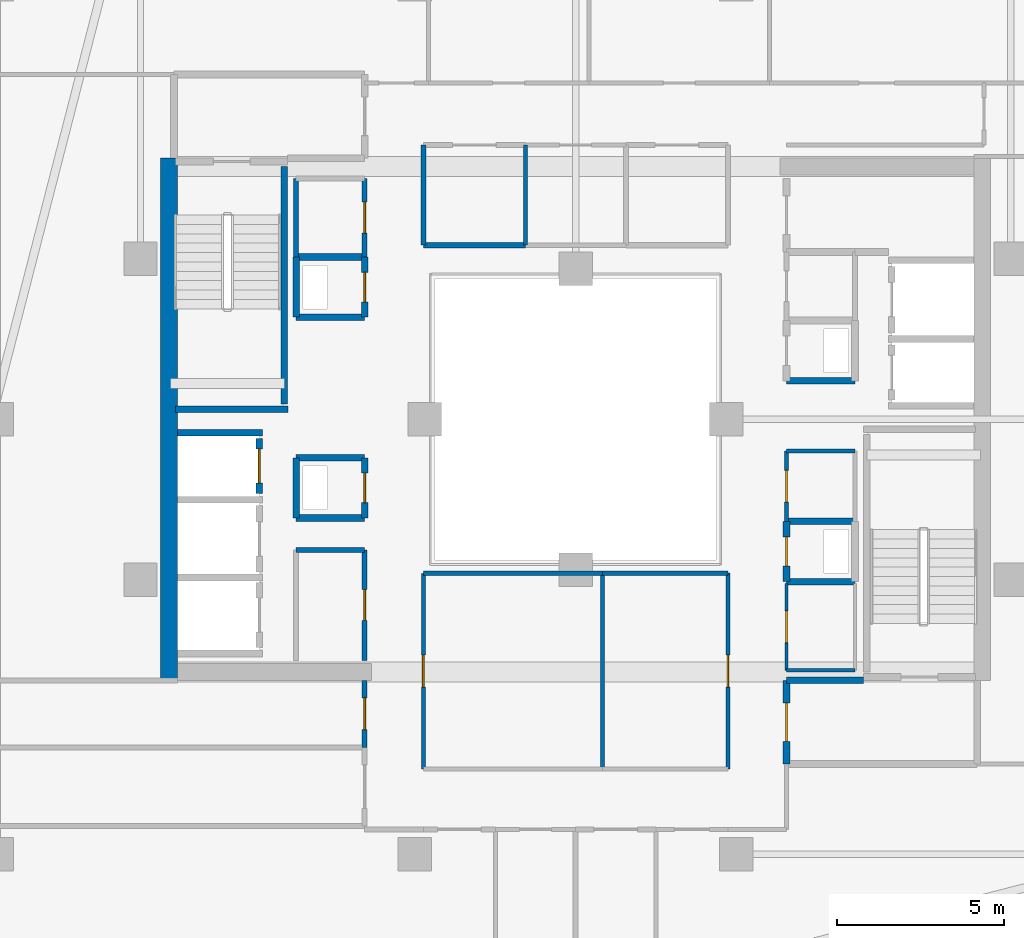
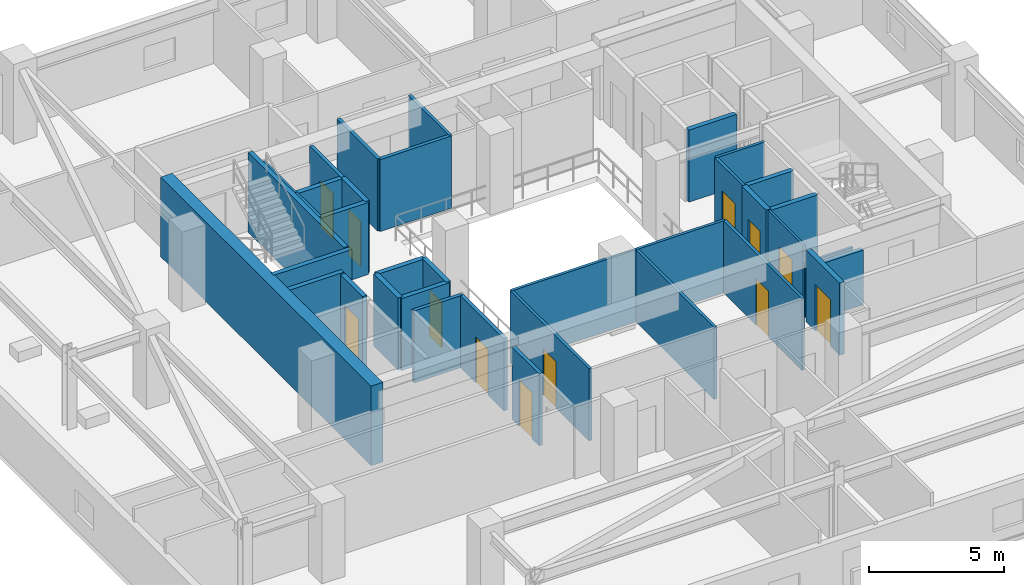
# One storey, part 24 of 33: 36 walls, 12 doors, 12 openings.
"""IFC4 building model written with IfcOpenShell, lengths in metres."""

from ifc_helpers import new_model, si_unit, direction, frame, frame_2d, origin, place, context, subcontext, project, spatial, rectangle, extrude, material, layer, layer_set, type_object, element, fill, save


model = new_model("IFC4")

# Units and contexts
model_context = context("Model", 3, precision=1e-05, world=origin(), true_north=direction((0.0, 1.0)))
body_context = subcontext(model_context, "Body", "Model", "MODEL_VIEW")
ifc_project = project(units=[si_unit("LENGTHUNIT", "METRE"), si_unit("AREAUNIT", "SQUARE_METRE"), si_unit("VOLUMEUNIT", "CUBIC_METRE"), si_unit("PLANEANGLEUNIT", "RADIAN"), si_unit("MASSUNIT", "GRAM", prefix="KILO")], contexts=[model_context])

# Site, building, storey
site_placement = place(None, origin())
site = spatial("IfcSite", under=ifc_project, at=site_placement, CompositionType="ELEMENT")
building_placement = place(site_placement, origin())
building = spatial("IfcBuilding", under=site, at=building_placement, Name="Thornwick Lancets Civic Towers", CompositionType="ELEMENT")
storey_placement = place(building_placement, frame((0.0, 0.0, 218.10009765625)))
storey = spatial("IfcBuildingStorey", under=building, at=storey_placement, Name="L58", CompositionType="ELEMENT", Elevation=218.10009765625)

# Wall, opening, door
ifc_material_1 = material(Name="Concrete blockwork C40/50", Category="masonry")
ifc_layer_1 = layer(ifc_material_1, 0.199951171875, Name="Concrete blockwork C40/50")
ifc_layer_set_1 = layer_set([ifc_layer_1], Name="Concrete blockwork C40/50")
wall_type_1 = type_object("IfcWallType", Name="WALL_COMP_200", PredefinedType="STANDARD", material=ifc_layer_set_1)
wall_1_placement = place(storey_placement, frame((79.050048828125, 24.780029296875, 0.0), z_axis=(0.0, 0.0, 1.0), x_axis=(0.0, 1.0, 0.0)))
wall_1 = element("IfcWall", 1, at=wall_1_placement, inside=storey, type_object=wall_type_1, Name="L58 Hoistway Front Wall FL-B2", PredefinedType="STANDARD", context=body_context, shape_type="SweptSolid", body=[
    extrude(rectangle(XDim=1.639892578125, YDim=0.199951171875, at=frame_2d((0.81982421875, 0.0))), origin(), (0.0, 0.0, 1.0), 3.260009765625),
])
opening_1_placement = place(wall_1_placement, frame((0.31005859375, 0.0, 0.0)))
opening_1 = element("IfcOpeningElement", 2, at=opening_1_placement, cuts=wall_1, Name="Opening LD-FL-B2", PredefinedType="OPENING", context=body_context, shape_type="SweptSolid", body=[
    extrude(rectangle(XDim=1.02001953125, YDim=2.06005859375, at=frame_2d((0.510009765625, 1.030029296875))), frame((0.0, 0.10986328125, 0.0), z_axis=(0.0, -1.0, 0.0), x_axis=(1.0, 0.0, 0.0)), (0.0, 0.0, 1.0), 0.219970703125),
])
ifc_material_2 = material(Name="Brushed bronze stainless steel", Category="steel")
door_type_1 = type_object("IfcDoorType", Name="DOOR_LIFT_SLIDE", OperationType="SLIDING_TO_LEFT", PredefinedType="DOOR", material=ifc_material_2)
door_1_placement = place(opening_1_placement, origin())
door_1 = element("IfcDoor", 3, at=door_1_placement, inside=storey, type_object=door_type_1, Name="L58 Sliding Lift Landing Door LD-FL-B2", OperationType="SLIDING_TO_LEFT", OverallHeight=2.06005859375, OverallWidth=1.02001953125, PredefinedType="DOOR", context=body_context, shape_type="SweptSolid", body=[
    extrude(rectangle(XDim=1.02001953125, YDim=2.06005859375, at=frame_2d((0.510009765625, 1.030029296875))), frame((0.0, 0.02490234375, 0.0), z_axis=(0.0, -1.0, 0.0), x_axis=(1.0, 0.0, 0.0)), (0.0, 0.0, 1.0), 0.050048828125),
])
fill(opening_1, door_1)

# Walls
wall_2_placement = place(storey_placement, frame((76.612060546875, 26.60009765625, 0.0), z_axis=(0.0, 0.0, 1.0), x_axis=(1.0, 0.0, 0.0)))
element("IfcWall", 4, at=wall_2_placement, inside=storey, type_object=wall_type_1, Name="L58 Hoistway Shaft Wall FL-B2 N", PredefinedType="STANDARD", context=body_context, shape_type="SweptSolid", body=[
    extrude(rectangle(XDim=2.535888671875, YDim=0.199951171875, at=frame_2d((1.26806640625, 0.0))), origin(), (0.0, 0.0, 1.0), 3.260009765625),
])
wall_3_placement = place(storey_placement, frame((97.10009765625, 19.199951171875, 0.0), z_axis=(0.0, 0.0, 1.0), x_axis=(-1.0, 0.0, 0.0)))
element("IfcWall", 5, at=wall_3_placement, inside=storey, type_object=wall_type_1, Name="L58 Partition L58-B-FFLOB1 E3", PredefinedType="STANDARD", context=body_context, shape_type="SweptSolid", body=[
    extrude(rectangle(XDim=2.300048828125, YDim=0.199951171875, at=frame_2d((1.14990234375, 0.0))), origin(), (0.0, 0.0, 1.0), 2.46484375),
])

# Wall, opening, door
wall_4_placement = place(storey_placement, frame((94.800048828125, 19.199951171875, 0.0), z_axis=(0.0, 0.0, 1.0), x_axis=(0.0, -1.0, 0.0)))
wall_4 = element("IfcWall", 6, at=wall_4_placement, inside=storey, type_object=wall_type_1, Name="L58 Partition L58-B-FFLOB1 E4", PredefinedType="STANDARD", context=body_context, shape_type="SweptSolid", body=[
    extrude(rectangle(XDim=2.5, YDim=0.199951171875, at=frame_2d((1.25, 0.0))), origin(), (0.0, 0.0, 1.0), 3.260009765625),
])
opening_2_placement = place(wall_4_placement, frame((0.675048828125, 0.0, 0.0)))
opening_2 = element("IfcOpeningElement", 7, at=opening_2_placement, cuts=wall_4, Name="Opening D-L58-2591", PredefinedType="OPENING", context=body_context, shape_type="SweptSolid", body=[
    extrude(rectangle(XDim=1.14990234375, YDim=2.10009765625, at=frame_2d((0.574951171875, 1.050048828125))), frame((0.0, 0.10986328125, 0.0), z_axis=(0.0, -1.0, 0.0), x_axis=(1.0, 0.0, 0.0)), (0.0, 0.0, 1.0), 0.219970703125),
])
ifc_material_3 = material(Name="Glazed fire-resisting steel", Category="steel")
door_type_2 = type_object("IfcDoorType", Name="DOOR_LOBBY_FD60", OperationType="NOTDEFINED", PredefinedType="DOOR", material=ifc_material_3)
door_2_placement = place(opening_2_placement, origin())
door_2 = element("IfcDoor", 8, at=door_2_placement, inside=storey, type_object=door_type_2, Name="L58 East Firefighting Lobby 1 Door", OperationType="SINGLE_SWING_RIGHT", OverallHeight=2.10009765625, OverallWidth=1.14990234375, PredefinedType="DOOR", context=body_context, shape_type="SweptSolid", body=[
    extrude(rectangle(XDim=1.14990234375, YDim=2.10009765625, at=frame_2d((0.574951171875, 1.050048828125))), frame((0.0, 0.02490234375, 0.0), z_axis=(0.0, -1.0, 0.0), x_axis=(1.0, 0.0, 0.0)), (0.0, 0.0, 1.0), 0.050048828125),
])
fill(opening_2, door_2)

# Walls
for number, where, z_axis, x_axis, name in (
    (9, (94.800048828125, 28.14990234375, 0.0), (0.0, 0.0, 1.0), (1.0, 0.0, 0.0), "L58 Partition L58-B-DUCT1 E1"),
    (10, (94.800048828125, 22.14990234375, 0.0), (0.0, 0.0, 1.0), (1.0, 0.0, 0.0), "L58 Partition L58-B-RISER1 E1"),
    (11, (96.85009765625, 23.949951171875, 0.0), (0.0, 0.0, 1.0), (-1.0, 0.0, 0.0), "L58 Partition L58-B-RISER1 E3"),
):
    element("IfcWall", number, at=place(storey_placement, frame(where, z_axis=z_axis, x_axis=x_axis)), inside=storey, type_object=wall_type_1, Name=name, PredefinedType="STANDARD", context=body_context, shape_type="SweptSolid", body=[
        extrude(rectangle(XDim=2.050048828125, YDim=0.199951171875, at=frame_2d((1.02490234375, 0.0))), origin(), (0.0, 0.0, 1.0), 3.260009765625),
    ])

# Wall, opening, door
wall_5_placement = place(storey_placement, frame((94.800048828125, 23.949951171875, 0.0), z_axis=(0.0, 0.0, 1.0), x_axis=(0.0, -1.0, 0.0)))
wall_5 = element("IfcWall", 12, at=wall_5_placement, inside=storey, type_object=wall_type_1, Name="L58 Partition L58-B-RISER1 E4", PredefinedType="STANDARD", context=body_context, shape_type="SweptSolid", body=[
    extrude(rectangle(XDim=1.800048828125, YDim=0.199951171875, at=frame_2d((0.89990234375, 0.0))), origin(), (0.0, 0.0, 1.0), 3.260009765625),
])
opening_3_placement = place(wall_5_placement, frame((0.4599609375, 0.0, 0.0)))
opening_3 = element("IfcOpeningElement", 13, at=opening_3_placement, cuts=wall_5, Name="Opening D-L58-2594", PredefinedType="OPENING", context=body_context, shape_type="SweptSolid", body=[
    extrude(rectangle(XDim=0.8798828125, YDim=2.0400390625, at=frame_2d((0.43994140625, 1.02001953125))), frame((0.0, 0.10986328125, 0.0), z_axis=(0.0, -1.0, 0.0), x_axis=(1.0, 0.0, 0.0)), (0.0, 0.0, 1.0), 0.219970703125),
])
ifc_material_4 = material(Name="Steel riser access doorset", Category="steel")
door_type_3 = type_object("IfcDoorType", Name="DOOR_RISER_850", OperationType="NOTDEFINED", PredefinedType="DOOR", material=ifc_material_4)
door_3_placement = place(opening_3_placement, origin())
door_3 = element("IfcDoor", 14, at=door_3_placement, inside=storey, type_object=door_type_3, Name="L58 East Electrical Riser 1 Door", OperationType="SINGLE_SWING_LEFT", OverallHeight=2.0400390625, OverallWidth=0.8798828125, PredefinedType="DOOR", context=body_context, shape_type="SweptSolid", body=[
    extrude(rectangle(XDim=0.8798828125, YDim=2.0400390625, at=frame_2d((0.43994140625, 1.02001953125))), frame((0.0, 0.02490234375, 0.0), z_axis=(0.0, -1.0, 0.0), x_axis=(1.0, 0.0, 0.0)), (0.0, 0.0, 1.0), 0.050048828125),
])
fill(opening_3, door_3)

# Wall
wall_6_placement = place(storey_placement, frame((80.14990234375, 24.050048828125, 0.0), z_axis=(0.0, 0.0, 1.0), x_axis=(1.0, 0.0, 0.0)))
element("IfcWall", 15, at=wall_6_placement, inside=storey, type_object=wall_type_1, Name="L58 Partition L58-B-DUCT2 E1", PredefinedType="STANDARD", context=body_context, shape_type="SweptSolid", body=[
    extrude(rectangle(XDim=2.050048828125, YDim=0.199951171875, at=frame_2d((1.02490234375, 0.0))), origin(), (0.0, 0.0, 1.0), 3.260009765625),
])

# Wall, opening, door
wall_7_placement = place(storey_placement, frame((82.199951171875, 24.050048828125, 0.0), z_axis=(0.0, 0.0, 1.0), x_axis=(0.0, 1.0, 0.0)))
wall_7 = element("IfcWall", 16, at=wall_7_placement, inside=storey, type_object=wall_type_1, Name="L58 Partition L58-B-DUCT2 E2", PredefinedType="STANDARD", context=body_context, shape_type="SweptSolid", body=[
    extrude(rectangle(XDim=1.800048828125, YDim=0.199951171875, at=frame_2d((0.89990234375, 0.0))), origin(), (0.0, 0.0, 1.0), 3.260009765625),
])
opening_4_placement = place(wall_7_placement, frame((0.4599609375, 0.0, 0.0)))
opening_4 = element("IfcOpeningElement", 17, at=opening_4_placement, cuts=wall_7, Name="Opening D-L58-2595", PredefinedType="OPENING", context=body_context, shape_type="SweptSolid", body=[
    extrude(rectangle(XDim=0.8798828125, YDim=2.0400390625, at=frame_2d((0.43994140625, 1.02001953125))), frame((0.0, 0.10986328125, 0.0), z_axis=(0.0, -1.0, 0.0), x_axis=(1.0, 0.0, 0.0)), (0.0, 0.0, 1.0), 0.219970703125),
])
door_4_placement = place(opening_4_placement, origin())
door_4 = element("IfcDoor", 18, at=door_4_placement, inside=storey, type_object=door_type_3, Name="L58 West Service Duct 2 Door", OperationType="SINGLE_SWING_RIGHT", OverallHeight=2.0400390625, OverallWidth=0.8798828125, PredefinedType="DOOR", context=body_context, shape_type="SweptSolid", body=[
    extrude(rectangle(XDim=0.8798828125, YDim=2.0400390625, at=frame_2d((0.43994140625, 1.02001953125))), frame((0.0, 0.02490234375, 0.0), z_axis=(0.0, -1.0, 0.0), x_axis=(1.0, 0.0, 0.0)), (0.0, 0.0, 1.0), 0.050048828125),
])
fill(opening_4, door_4)

# Walls
wall_8_placement = place(storey_placement, frame((82.199951171875, 25.85009765625, 0.0), z_axis=(0.0, 0.0, 1.0), x_axis=(-1.0, 0.0, 0.0)))
element("IfcWall", 19, at=wall_8_placement, inside=storey, type_object=wall_type_1, Name="L58 Partition L58-B-DUCT2 E3", PredefinedType="STANDARD", context=body_context, shape_type="SweptSolid", body=[
    extrude(rectangle(XDim=2.050048828125, YDim=0.199951171875, at=frame_2d((1.02490234375, 0.0))), origin(), (0.0, 0.0, 1.0), 3.260009765625),
])
wall_9_placement = place(storey_placement, frame((80.14990234375, 25.85009765625, 0.0), z_axis=(0.0, 0.0, 1.0), x_axis=(0.0, -1.0, 0.0)))
element("IfcWall", 20, at=wall_9_placement, inside=storey, type_object=wall_type_1, Name="L58 Partition L58-B-DUCT2 E4", PredefinedType="STANDARD", context=body_context, shape_type="SweptSolid", body=[
    extrude(rectangle(XDim=1.800048828125, YDim=0.199951171875, at=frame_2d((0.89990234375, 0.0))), origin(), (0.0, 0.0, 1.0), 3.260009765625),
])
wall_10_placement = place(storey_placement, frame((80.14990234375, 30.050048828125, 0.0), z_axis=(0.0, 0.0, 1.0), x_axis=(1.0, 0.0, 0.0)))
element("IfcWall", 21, at=wall_10_placement, inside=storey, type_object=wall_type_1, Name="L58 Partition L58-B-RISER2 E1", PredefinedType="STANDARD", context=body_context, shape_type="SweptSolid", body=[
    extrude(rectangle(XDim=2.050048828125, YDim=0.199951171875, at=frame_2d((1.02490234375, 0.0))), origin(), (0.0, 0.0, 1.0), 3.260009765625),
])

# Wall, opening, door
wall_11_placement = place(storey_placement, frame((82.199951171875, 30.050048828125, 0.0), z_axis=(0.0, 0.0, 1.0), x_axis=(0.0, 1.0, 0.0)))
wall_11 = element("IfcWall", 22, at=wall_11_placement, inside=storey, type_object=wall_type_1, Name="L58 Partition L58-B-RISER2 E2", PredefinedType="STANDARD", context=body_context, shape_type="SweptSolid", body=[
    extrude(rectangle(XDim=1.800048828125, YDim=0.199951171875, at=frame_2d((0.89990234375, 0.0))), origin(), (0.0, 0.0, 1.0), 3.260009765625),
])
opening_5_placement = place(wall_11_placement, frame((0.4599609375, 0.0, 0.0)))
opening_5 = element("IfcOpeningElement", 23, at=opening_5_placement, cuts=wall_11, Name="Opening D-L58-2596", PredefinedType="OPENING", context=body_context, shape_type="SweptSolid", body=[
    extrude(rectangle(XDim=0.8798828125, YDim=2.0400390625, at=frame_2d((0.43994140625, 1.02001953125))), frame((0.0, 0.10986328125, 0.0), z_axis=(0.0, -1.0, 0.0), x_axis=(1.0, 0.0, 0.0)), (0.0, 0.0, 1.0), 0.219970703125),
])
door_5_placement = place(opening_5_placement, origin())
door_5 = element("IfcDoor", 24, at=door_5_placement, inside=storey, type_object=door_type_3, Name="L58 West Service Riser 2 Door", OperationType="SINGLE_SWING_LEFT", OverallHeight=2.0400390625, OverallWidth=0.8798828125, PredefinedType="DOOR", context=body_context, shape_type="SweptSolid", body=[
    extrude(rectangle(XDim=0.8798828125, YDim=2.0400390625, at=frame_2d((0.43994140625, 1.02001953125))), frame((0.0, 0.02490234375, 0.0), z_axis=(0.0, -1.0, 0.0), x_axis=(1.0, 0.0, 0.0)), (0.0, 0.0, 1.0), 0.050048828125),
])
fill(opening_5, door_5)

# Walls
wall_12_placement = place(storey_placement, frame((82.199951171875, 31.85009765625, 0.0), z_axis=(0.0, 0.0, 1.0), x_axis=(-1.0, 0.0, 0.0)))
element("IfcWall", 25, at=wall_12_placement, inside=storey, type_object=wall_type_1, Name="L58 Partition L58-B-RISER2 E3", PredefinedType="STANDARD", context=body_context, shape_type="SweptSolid", body=[
    extrude(rectangle(XDim=2.050048828125, YDim=0.199951171875, at=frame_2d((1.02490234375, 0.0))), origin(), (0.0, 0.0, 1.0), 3.260009765625),
])
wall_13_placement = place(storey_placement, frame((80.14990234375, 31.85009765625, 0.0), z_axis=(0.0, 0.0, 1.0), x_axis=(0.0, -1.0, 0.0)))
element("IfcWall", 26, at=wall_13_placement, inside=storey, type_object=wall_type_1, Name="L58 Partition L58-B-RISER2 E4", PredefinedType="STANDARD", context=body_context, shape_type="SweptSolid", body=[
    extrude(rectangle(XDim=1.800048828125, YDim=0.199951171875, at=frame_2d((0.89990234375, 0.0))), origin(), (0.0, 0.0, 1.0), 3.260009765625),
])
ifc_material_5 = material(Name="Concrete C50/60", Category="concrete")
ifc_layer_2 = layer(ifc_material_5, 0.5, Name="Concrete C50/60")
ifc_layer_set_2 = layer_set([ifc_layer_2], Name="Concrete C50/60")
wall_type_2 = type_object("IfcWallType", Name="WALL_CORE_500", PredefinedType="SHEAR", material=ifc_layer_set_2)
wall_14_placement = place(storey_placement, frame((76.35009765625, 19.199951171875, 0.0), z_axis=(0.0, 0.0, 1.0), x_axis=(0.0, 1.0, 0.0)))
element("IfcWall", 27, at=wall_14_placement, inside=storey, type_object=wall_type_2, Name="L58 Split Core B2 Shear Wall W", PredefinedType="SHEAR", context=body_context, shape_type="SweptSolid", body=[
    extrude(rectangle(XDim=15.60009765625, YDim=0.5, at=frame_2d((7.800048828125, 0.0))), origin(), (0.0, 0.0, 1.0), 3.599853515625),
])
ifc_material_6 = material(Name="Lightweight cellular office partition")
ifc_layer_3 = layer(ifc_material_6, 0.10009765625, Name="Lightweight cellular office partition")
ifc_layer_set_3 = layer_set([ifc_layer_3], Name="Lightweight cellular office partition")
wall_type_3 = type_object("IfcWallType", Name="WALL_PART_100", PredefinedType="PARTITIONING", material=ifc_layer_set_3)
wall_15_placement = place(storey_placement, frame((94.800048828125, 19.5, 0.0), z_axis=(0.0, 0.0, 1.0), x_axis=(1.0, 0.0, 0.0)))
element("IfcWall", 28, at=wall_15_placement, inside=storey, type_object=wall_type_3, Name="L58 Partition L58-B-CLN E1", PredefinedType="PARTITIONING", context=body_context, shape_type="SweptSolid", body=[
    extrude(rectangle(XDim=2.050048828125, YDim=0.10009765625, at=frame_2d((1.02490234375, 0.0))), origin(), (0.0, 0.0, 1.0), 2.46484375),
])

# Wall, opening, door
wall_16_placement = place(storey_placement, frame((94.800048828125, 22.10009765625, 0.0), z_axis=(0.0, 0.0, 1.0), x_axis=(0.0, -1.0, 0.0)))
wall_16 = element("IfcWall", 29, at=wall_16_placement, inside=storey, type_object=wall_type_3, Name="L58 Partition L58-B-CLN E4", PredefinedType="PARTITIONING", context=body_context, shape_type="SweptSolid", body=[
    extrude(rectangle(XDim=2.60009765625, YDim=0.10009765625, at=frame_2d((1.300048828125, 0.0))), origin(), (0.0, 0.0, 1.0), 3.260009765625),
])
opening_6_placement = place(wall_16_placement, frame((0.824951171875, 0.0, 0.0)))
opening_6 = element("IfcOpeningElement", 30, at=opening_6_placement, cuts=wall_16, Name="Opening D-L58-2597", PredefinedType="OPENING", context=body_context, shape_type="SweptSolid", body=[
    extrude(rectangle(XDim=0.949951171875, YDim=2.10009765625, at=frame_2d((0.47509765625, 1.050048828125))), frame((0.0, 0.06005859375, 0.0), z_axis=(0.0, -1.0, 0.0), x_axis=(1.0, 0.0, 0.0)), (0.0, 0.0, 1.0), 0.1201171875),
])
ifc_material_7 = material(Name="European oak acoustic doorset")
door_type_4 = type_object("IfcDoorType", Name="DOOR_OFFICE_950", OperationType="NOTDEFINED", PredefinedType="DOOR", material=ifc_material_7)
door_6_placement = place(opening_6_placement, origin())
door_6 = element("IfcDoor", 31, at=door_6_placement, inside=storey, type_object=door_type_4, Name="L58 Tower B Cleaners Store Door", OperationType="SINGLE_SWING_RIGHT", OverallHeight=2.10009765625, OverallWidth=0.949951171875, PredefinedType="DOOR", context=body_context, shape_type="SweptSolid", body=[
    extrude(rectangle(XDim=0.949951171875, YDim=2.10009765625, at=frame_2d((0.47509765625, 1.050048828125))), frame((0.0, 0.02490234375, 0.0), z_axis=(0.0, -1.0, 0.0), x_axis=(1.0, 0.0, 0.0)), (0.0, 0.0, 1.0), 0.050048828125),
])
fill(opening_6, door_6)

ifc_material_8 = material(Name="Acoustic gypsum board partition")
ifc_layer_4 = layer(ifc_material_8, 0.1201171875, Name="Acoustic gypsum board partition")
ifc_layer_set_4 = layer_set([ifc_layer_4], Name="Acoustic gypsum board partition")
wall_type_4 = type_object("IfcWallType", Name="WALL_PART_120", PredefinedType="PARTITIONING", material=ifc_layer_set_4)
wall_17_placement = place(storey_placement, frame((94.800048828125, 23.949951171875, 0.0), z_axis=(0.0, 0.0, 1.0), x_axis=(0.0, 1.0, 0.0)))
wall_17 = element("IfcWall", 32, at=wall_17_placement, inside=storey, type_object=wall_type_4, Name="L58 Partition L58-B-ITR E1", PredefinedType="PARTITIONING", context=body_context, shape_type="SweptSolid", body=[
    extrude(rectangle(XDim=2.10009765625, YDim=0.1201171875, at=frame_2d((1.050048828125, 0.0))), origin(), (0.0, 0.0, 1.0), 3.260009765625),
])
opening_7_placement = place(wall_17_placement, frame((0.574951171875, 0.0, 0.0)))
opening_7 = element("IfcOpeningElement", 33, at=opening_7_placement, cuts=wall_17, Name="Opening D-L58-2598", PredefinedType="OPENING", context=body_context, shape_type="SweptSolid", body=[
    extrude(rectangle(XDim=0.949951171875, YDim=2.10009765625, at=frame_2d((0.47509765625, 1.050048828125))), frame((0.0, 0.070068359375, 0.0), z_axis=(0.0, -1.0, 0.0), x_axis=(1.0, 0.0, 0.0)), (0.0, 0.0, 1.0), 0.14013671875),
])
door_7_placement = place(opening_7_placement, origin())
door_7 = element("IfcDoor", 34, at=door_7_placement, inside=storey, type_object=door_type_4, Name="L58 Tower B Comms Patch Room Door", OperationType="SINGLE_SWING_LEFT", OverallHeight=2.10009765625, OverallWidth=0.949951171875, PredefinedType="DOOR", context=body_context, shape_type="SweptSolid", body=[
    extrude(rectangle(XDim=0.949951171875, YDim=2.10009765625, at=frame_2d((0.47509765625, 1.050048828125))), frame((0.0, 0.02490234375, 0.0), z_axis=(0.0, -1.0, 0.0), x_axis=(1.0, 0.0, 0.0)), (0.0, 0.0, 1.0), 0.050048828125),
])
fill(opening_7, door_7)

# Walls
wall_18_placement = place(storey_placement, frame((94.800048828125, 26.050048828125, 0.0), z_axis=(0.0, 0.0, 1.0), x_axis=(1.0, 0.0, 0.0)))
element("IfcWall", 35, at=wall_18_placement, inside=storey, type_object=wall_type_4, Name="L58 Partition L58-B-ITR E2", PredefinedType="PARTITIONING", context=body_context, shape_type="SweptSolid", body=[
    extrude(rectangle(XDim=2.050048828125, YDim=0.1201171875, at=frame_2d((1.02490234375, 0.0))), origin(), (0.0, 0.0, 1.0), 3.260009765625),
])
wall_19_placement = place(storey_placement, frame((89.300048828125, 16.550048828125, 0.0), z_axis=(0.0, 0.0, 1.0), x_axis=(0.0, 1.0, 0.0)))
element("IfcWall", 36, at=wall_19_placement, inside=storey, type_object=wall_type_4, Name="L58 Partition L58-B-W3 E1", PredefinedType="PARTITIONING", context=body_context, shape_type="SweptSolid", body=[
    extrude(rectangle(XDim=5.849853515625, YDim=0.1201171875, at=frame_2d((2.9248046875, 0.0))), origin(), (0.0, 0.0, 1.0), 3.260009765625),
])
wall_20_placement = place(storey_placement, frame((89.300048828125, 22.39990234375, 0.0), z_axis=(0.0, 0.0, 1.0), x_axis=(1.0, 0.0, 0.0)))
element("IfcWall", 37, at=wall_20_placement, inside=storey, type_object=wall_type_4, Name="L58 Partition L58-B-W3 E2", PredefinedType="PARTITIONING", context=body_context, shape_type="SweptSolid", body=[
    extrude(rectangle(XDim=3.75, YDim=0.1201171875, at=frame_2d((1.875, 0.0))), origin(), (0.0, 0.0, 1.0), 3.260009765625),
])

# Wall, opening, door
wall_21_placement = place(storey_placement, frame((93.050048828125, 22.39990234375, 0.0), z_axis=(0.0, 0.0, 1.0), x_axis=(0.0, -1.0, 0.0)))
wall_21 = element("IfcWall", 38, at=wall_21_placement, inside=storey, type_object=wall_type_4, Name="L58 Partition L58-B-W3 E3", PredefinedType="PARTITIONING", context=body_context, shape_type="SweptSolid", body=[
    extrude(rectangle(XDim=5.849853515625, YDim=0.1201171875, at=frame_2d((2.9248046875, 0.0))), origin(), (0.0, 0.0, 1.0), 3.260009765625),
])
opening_8_placement = place(wall_21_placement, frame((2.449951171875, 0.0, 0.0)))
opening_8 = element("IfcOpeningElement", 39, at=opening_8_placement, cuts=wall_21, Name="Opening D-L58-2626", PredefinedType="OPENING", context=body_context, shape_type="SweptSolid", body=[
    extrude(rectangle(XDim=0.949951171875, YDim=2.10009765625, at=frame_2d((0.47509765625, 1.050048828125))), frame((0.0, 0.070068359375, 0.0), z_axis=(0.0, -1.0, 0.0), x_axis=(1.0, 0.0, 0.0)), (0.0, 0.0, 1.0), 0.14013671875),
])
door_8_placement = place(opening_8_placement, origin())
door_8 = element("IfcDoor", 40, at=door_8_placement, inside=storey, type_object=door_type_4, Name="L58 Tower B Staff Tea Pantry and Lounge Door", OperationType="SINGLE_SWING_LEFT", OverallHeight=2.10009765625, OverallWidth=0.949951171875, PredefinedType="DOOR", context=body_context, shape_type="SweptSolid", body=[
    extrude(rectangle(XDim=0.949951171875, YDim=2.10009765625, at=frame_2d((0.47509765625, 1.050048828125))), frame((0.0, 0.02490234375, 0.0), z_axis=(0.0, -1.0, 0.0), x_axis=(1.0, 0.0, 0.0)), (0.0, 0.0, 1.0), 0.050048828125),
])
fill(opening_8, door_8)

wall_22_placement = place(storey_placement, frame((83.949951171875, 16.550048828125, 0.0), z_axis=(0.0, 0.0, 1.0), x_axis=(0.0, 1.0, 0.0)))
wall_22 = element("IfcWall", 41, at=wall_22_placement, inside=storey, type_object=wall_type_4, Name="L58 Partition L58-B-W4 E1", PredefinedType="PARTITIONING", context=body_context, shape_type="SweptSolid", body=[
    extrude(rectangle(XDim=5.849853515625, YDim=0.1201171875, at=frame_2d((2.9248046875, 0.0))), origin(), (0.0, 0.0, 1.0), 3.260009765625),
])
opening_9_placement = place(wall_22_placement, frame((2.449951171875, 0.0, 0.0)))
opening_9 = element("IfcOpeningElement", 42, at=opening_9_placement, cuts=wall_22, Name="Opening D-L58-2627", PredefinedType="OPENING", context=body_context, shape_type="SweptSolid", body=[
    extrude(rectangle(XDim=0.949951171875, YDim=2.10009765625, at=frame_2d((0.47509765625, 1.050048828125))), frame((0.0, 0.070068359375, 0.0), z_axis=(0.0, -1.0, 0.0), x_axis=(1.0, 0.0, 0.0)), (0.0, 0.0, 1.0), 0.14013671875),
])
door_9_placement = place(opening_9_placement, origin())
door_9 = element("IfcDoor", 43, at=door_9_placement, inside=storey, type_object=door_type_4, Name="L58 Tower B Statutory Research Library W4 Door", OperationType="SINGLE_SWING_RIGHT", OverallHeight=2.10009765625, OverallWidth=0.949951171875, PredefinedType="DOOR", context=body_context, shape_type="SweptSolid", body=[
    extrude(rectangle(XDim=0.949951171875, YDim=2.10009765625, at=frame_2d((0.47509765625, 1.050048828125))), frame((0.0, 0.02490234375, 0.0), z_axis=(0.0, -1.0, 0.0), x_axis=(1.0, 0.0, 0.0)), (0.0, 0.0, 1.0), 0.050048828125),
])
fill(opening_9, door_9)

# Walls
wall_23_placement = place(storey_placement, frame((83.949951171875, 22.39990234375, 0.0), z_axis=(0.0, 0.0, 1.0), x_axis=(1.0, 0.0, 0.0)))
element("IfcWall", 44, at=wall_23_placement, inside=storey, type_object=wall_type_4, Name="L58 Partition L58-B-W4 E2", PredefinedType="PARTITIONING", context=body_context, shape_type="SweptSolid", body=[
    extrude(rectangle(XDim=5.35009765625, YDim=0.1201171875, at=frame_2d((2.675048828125, 0.0))), origin(), (0.0, 0.0, 1.0), 3.260009765625),
])
wall_24_placement = place(storey_placement, frame((87.0, 32.199951171875, 0.0), z_axis=(0.0, 0.0, 1.0), x_axis=(0.0, 1.0, 0.0)))
element("IfcWall", 45, at=wall_24_placement, inside=storey, type_object=wall_type_4, Name="L58 Partition L58-B-E-ATR-2 E1", PredefinedType="PARTITIONING", context=body_context, shape_type="SweptSolid", body=[
    extrude(rectangle(XDim=3.0, YDim=0.1201171875, at=frame_2d((1.5, 0.0))), origin(), (0.0, 0.0, 1.0), 3.260009765625),
])

# Wall, opening, door
ifc_material_9 = material(Name="Twin-stud acoustic gypsum board")
ifc_layer_5 = layer(ifc_material_9, 0.14990234375, Name="Twin-stud acoustic gypsum board")
ifc_layer_set_5 = layer_set([ifc_layer_5], Name="Twin-stud acoustic gypsum board")
wall_type_5 = type_object("IfcWallType", Name="WALL_PART_150", PredefinedType="PARTITIONING", material=ifc_layer_set_5)
wall_25_placement = place(storey_placement, frame((82.199951171875, 19.800048828125, 0.0), z_axis=(0.0, 0.0, 1.0), x_axis=(0.0, 1.0, 0.0)))
wall_25 = element("IfcWall", 46, at=wall_25_placement, inside=storey, type_object=wall_type_5, Name="L58 Partition L58-B-MWC E2", PredefinedType="PARTITIONING", context=body_context, shape_type="SweptSolid", body=[
    extrude(rectangle(XDim=3.300048828125, YDim=0.14990234375, at=frame_2d((1.64990234375, 0.0))), origin(), (0.0, 0.0, 1.0), 3.260009765625),
])
opening_10_placement = place(wall_25_placement, frame((1.18994140625, 0.0, 0.0)))
opening_10 = element("IfcOpeningElement", 47, at=opening_10_placement, cuts=wall_25, Name="Opening D-L58-2601", PredefinedType="OPENING", context=body_context, shape_type="SweptSolid", body=[
    extrude(rectangle(XDim=0.919921875, YDim=2.080078125, at=frame_2d((0.4599609375, 1.0400390625))), frame((0.0, 0.0849609375, 0.0), z_axis=(0.0, -1.0, 0.0), x_axis=(1.0, 0.0, 0.0)), (0.0, 0.0, 1.0), 0.169921875),
])
ifc_material_10 = material(Name="Moisture-resistant oak doorset")
door_type_5 = type_object("IfcDoorType", Name="DOOR_WC_900", OperationType="NOTDEFINED", PredefinedType="DOOR", material=ifc_material_10)
door_10_placement = place(opening_10_placement, origin())
door_10 = element("IfcDoor", 48, at=door_10_placement, inside=storey, type_object=door_type_5, Name="L58 Tower B Male WC Door", OperationType="SINGLE_SWING_RIGHT", OverallHeight=2.080078125, OverallWidth=0.919921875, PredefinedType="DOOR", context=body_context, shape_type="SweptSolid", body=[
    extrude(rectangle(XDim=0.919921875, YDim=2.080078125, at=frame_2d((0.4599609375, 1.0400390625))), frame((0.0, 0.02490234375, 0.0), z_axis=(0.0, -1.0, 0.0), x_axis=(1.0, 0.0, 0.0)), (0.0, 0.0, 1.0), 0.050048828125),
])
fill(opening_10, door_10)

# Walls
wall_26_placement = place(storey_placement, frame((82.199951171875, 23.10009765625, 0.0), z_axis=(0.0, 0.0, 1.0), x_axis=(-1.0, 0.0, 0.0)))
element("IfcWall", 49, at=wall_26_placement, inside=storey, type_object=wall_type_5, Name="L58 Partition L58-B-MWC E3", PredefinedType="PARTITIONING", context=body_context, shape_type="SweptSolid", body=[
    extrude(rectangle(XDim=2.050048828125, YDim=0.14990234375, at=frame_2d((1.02490234375, 0.0))), origin(), (0.0, 0.0, 1.0), 3.260009765625),
])
wall_27_placement = place(storey_placement, frame((80.14990234375, 31.85009765625, 0.0), z_axis=(0.0, 0.0, 1.0), x_axis=(0.0, 1.0, 0.0)))
element("IfcWall", 50, at=wall_27_placement, inside=storey, type_object=wall_type_5, Name="L58 Partition L58-B-FWC E1", PredefinedType="PARTITIONING", context=body_context, shape_type="SweptSolid", body=[
    extrude(rectangle(XDim=2.349853515625, YDim=0.14990234375, at=frame_2d((1.1748046875, 0.0))), origin(), (0.0, 0.0, 1.0), 3.260009765625),
])

# Wall, opening, door
wall_28_placement = place(storey_placement, frame((82.199951171875, 34.199951171875, 0.0), z_axis=(0.0, 0.0, 1.0), x_axis=(0.0, -1.0, 0.0)))
wall_28 = element("IfcWall", 51, at=wall_28_placement, inside=storey, type_object=wall_type_5, Name="L58 Partition L58-B-FWC E3", PredefinedType="PARTITIONING", context=body_context, shape_type="SweptSolid", body=[
    extrude(rectangle(XDim=2.349853515625, YDim=0.14990234375, at=frame_2d((1.1748046875, 0.0))), origin(), (0.0, 0.0, 1.0), 3.260009765625),
])
opening_11_placement = place(wall_28_placement, frame((0.715087890625, 0.0, 0.0)))
opening_11 = element("IfcOpeningElement", 52, at=opening_11_placement, cuts=wall_28, Name="Opening D-L58-2602", PredefinedType="OPENING", context=body_context, shape_type="SweptSolid", body=[
    extrude(rectangle(XDim=0.919921875, YDim=2.080078125, at=frame_2d((0.4599609375, 1.0400390625))), frame((0.0, 0.0849609375, 0.0), z_axis=(0.0, -1.0, 0.0), x_axis=(1.0, 0.0, 0.0)), (0.0, 0.0, 1.0), 0.169921875),
])
door_11_placement = place(opening_11_placement, origin())
door_11 = element("IfcDoor", 53, at=door_11_placement, inside=storey, type_object=door_type_5, Name="L58 Tower B Female WC Door", OperationType="SINGLE_SWING_LEFT", OverallHeight=2.080078125, OverallWidth=0.919921875, PredefinedType="DOOR", context=body_context, shape_type="SweptSolid", body=[
    extrude(rectangle(XDim=0.919921875, YDim=2.080078125, at=frame_2d((0.4599609375, 1.0400390625))), frame((0.0, 0.02490234375, 0.0), z_axis=(0.0, -1.0, 0.0), x_axis=(1.0, 0.0, 0.0)), (0.0, 0.0, 1.0), 0.050048828125),
])
fill(opening_11, door_11)

wall_29_placement = place(storey_placement, frame((82.199951171875, 19.199951171875, 0.0), z_axis=(0.0, 0.0, 1.0), x_axis=(0.0, -1.0, 0.0)))
wall_29 = element("IfcWall", 54, at=wall_29_placement, inside=storey, type_object=wall_type_5, Name="L58 Partition L58-B-RECLAIM-M2 E4", PredefinedType="PARTITIONING", context=body_context, shape_type="SweptSolid", body=[
    extrude(rectangle(XDim=2.0, YDim=0.14990234375, at=frame_2d((1.0, 0.0))), origin(), (0.0, 0.0, 1.0), 3.260009765625),
])
opening_12_placement = place(wall_29_placement, frame((0.52490234375, 0.0, 0.0)))
opening_12 = element("IfcOpeningElement", 55, at=opening_12_placement, cuts=wall_29, Name="Opening D-L58-2621", PredefinedType="OPENING", context=body_context, shape_type="SweptSolid", body=[
    extrude(rectangle(XDim=0.949951171875, YDim=2.10009765625, at=frame_2d((0.47509765625, 1.050048828125))), frame((0.0, 0.0849609375, 0.0), z_axis=(0.0, -1.0, 0.0), x_axis=(1.0, 0.0, 0.0)), (0.0, 0.0, 1.0), 0.169921875),
])
door_12_placement = place(opening_12_placement, origin())
door_12 = element("IfcDoor", 56, at=door_12_placement, inside=storey, type_object=door_type_4, Name="L58 Tower B Executive Records Archive Door", OperationType="SINGLE_SWING_RIGHT", OverallHeight=2.10009765625, OverallWidth=0.949951171875, PredefinedType="DOOR", context=body_context, shape_type="SweptSolid", body=[
    extrude(rectangle(XDim=0.949951171875, YDim=2.10009765625, at=frame_2d((0.47509765625, 1.050048828125))), frame((0.0, 0.02490234375, 0.0), z_axis=(0.0, -1.0, 0.0), x_axis=(1.0, 0.0, 0.0)), (0.0, 0.0, 1.0), 0.050048828125),
])
fill(opening_12, door_12)

# Walls
wall_30_placement = place(storey_placement, frame((83.949951171875, 32.199951171875, 0.0), z_axis=(0.0, 0.0, 1.0), x_axis=(0.0, 1.0, 0.0)))
element("IfcWall", 57, at=wall_30_placement, inside=storey, type_object=wall_type_5, Name="L58 Partition L58-B-E-ATR-3 E1", PredefinedType="PARTITIONING", context=body_context, shape_type="SweptSolid", body=[
    extrude(rectangle(XDim=3.0, YDim=0.14990234375, at=frame_2d((1.5, 0.0))), origin(), (0.0, 0.0, 1.0), 3.260009765625),
])
wall_31_placement = place(storey_placement, frame((87.0, 32.199951171875, 0.0), z_axis=(0.0, 0.0, 1.0), x_axis=(-1.0, 0.0, 0.0)))
element("IfcWall", 58, at=wall_31_placement, inside=storey, type_object=wall_type_5, Name="L58 Partition L58-B-E-ATR-3 E4", PredefinedType="PARTITIONING", context=body_context, shape_type="SweptSolid", body=[
    extrude(rectangle(XDim=3.050048828125, YDim=0.14990234375, at=frame_2d((1.52490234375, 0.0))), origin(), (0.0, 0.0, 1.0), 3.260009765625),
])
ifc_material_11 = material(Name="Concrete C40/50", Category="concrete")
ifc_layer_6 = layer(ifc_material_11, 0.199951171875, Name="Concrete C40/50")
ifc_layer_set_6 = layer_set([ifc_layer_6], Name="Concrete C40/50")
wall_type_6 = type_object("IfcWallType", Name="WALL_SHAFT_200", PredefinedType="SHEAR", material=ifc_layer_set_6)
wall_32_placement = place(storey_placement, frame((79.89990234375, 27.300048828125, 0.0), z_axis=(0.0, 0.0, 1.0), x_axis=(-1.0, 0.0, 0.0)))
element("IfcWall", 59, at=wall_32_placement, inside=storey, type_object=wall_type_6, Name="L58 ST-B2 Fire Stair Core Wall FAR", PredefinedType="SHEAR", context=body_context, shape_type="SweptSolid", body=[
    extrude(rectangle(XDim=3.349853515625, YDim=0.199951171875, at=frame_2d((1.6748046875, 0.0))), origin(), (0.0, 0.0, 1.0), 3.599853515625),
])
wall_33_placement = place(storey_placement, frame((79.797119140625, 27.449951171875, 0.0), z_axis=(0.0, 0.0, 1.0), x_axis=(0.0, 1.0, 0.0)))
element("IfcWall", 60, at=wall_33_placement, inside=storey, type_object=wall_type_6, Name="L58 ST-B2 Fire Stair Core Wall RIGHT", PredefinedType="SHEAR", context=body_context, shape_type="SweptSolid", body=[
    extrude(rectangle(XDim=7.10009765625, YDim=0.199951171875, at=frame_2d((3.550048828125, 0.0))), origin(), (0.0, 0.0, 1.0), 3.599853515625),
])

save(model, "model.ifc")
